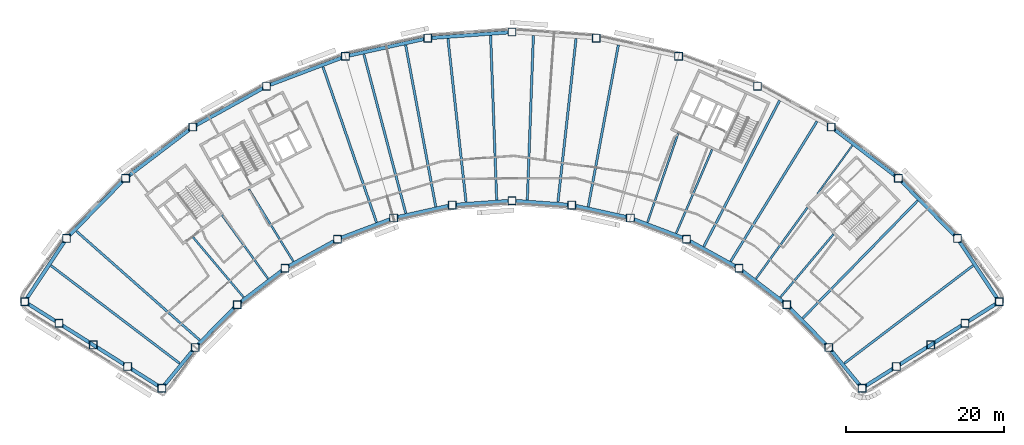
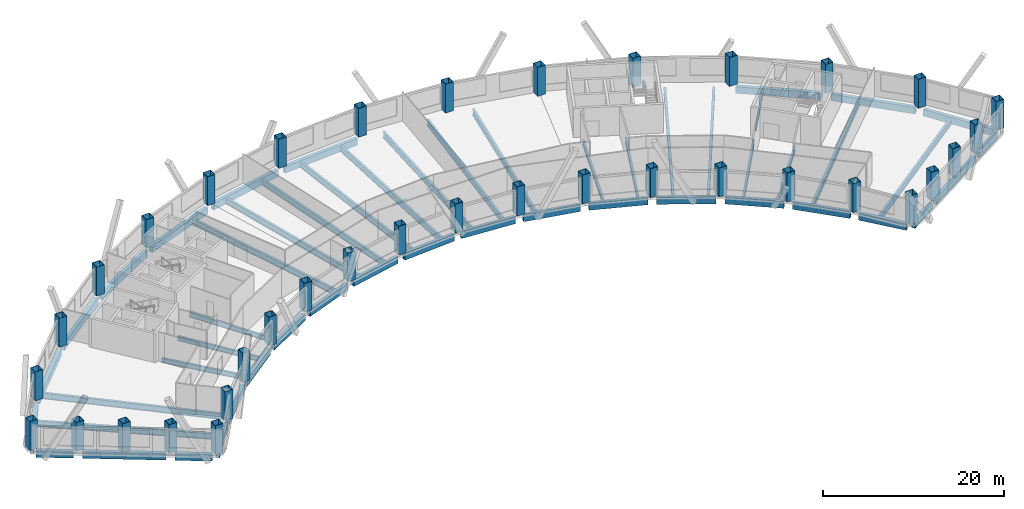
# One storey, part 1 of 11: 52 beams, 36 columns.
"""IFC4 building model written with IfcOpenShell, lengths in metres."""

from ifc_helpers import new_model, si_unit, direction, frame, origin, origin_2d, place, context, subcontext, project, spatial, hollow_rectangle, i_section, extrude, material, material_profile, profile_set, type_object, element, save


model = new_model("IFC4")

# Units and contexts
model_context = context("Model", 3, precision=1e-05, world=origin(), true_north=direction((0.0, 1.0)))
body_context = subcontext(model_context, "Body", "Model", "MODEL_VIEW")
ifc_project = project(units=[si_unit("LENGTHUNIT", "METRE"), si_unit("AREAUNIT", "SQUARE_METRE"), si_unit("VOLUMEUNIT", "CUBIC_METRE"), si_unit("PLANEANGLEUNIT", "RADIAN"), si_unit("MASSUNIT", "GRAM", prefix="KILO")], contexts=[model_context])

# Site, building, storey
site_placement = place(None, origin())
site = spatial("IfcSite", under=ifc_project, at=site_placement, CompositionType="ELEMENT")
building_placement = place(site_placement, origin())
building = spatial("IfcBuilding", under=site, at=building_placement, Name="Tuul Gate Civic Tower", CompositionType="ELEMENT")
storey_placement = place(building_placement, frame((0.0, 0.0, 155.0)))
storey = spatial("IfcBuildingStorey", under=building, at=storey_placement, Name="Level 35", CompositionType="ELEMENT", Elevation=155.0)

# Columns
ifc_material_1 = material(Name="Steel S355", Category="steel")
ifc_material_profile_1 = material_profile(ifc_material_1, hollow_rectangle(XDim=1.0, YDim=1.0, WallThickness=0.0400390625, at=origin_2d()), Name="BOX1000x1000x40")
ifc_profile_set_1 = profile_set([ifc_material_profile_1], Name="Steel S355")
column_type = type_object("IfcColumnType", Name="STR-COLUMN-BOX1000x1000x40", PredefinedType="COLUMN", material=ifc_profile_set_1)
for number, where, z_axis, x_axis, name in (
    (1, (67.044921875, -24.89697265625, 0.0), (0.0, 0.0, 1.0), (1.0, 0.0, 0.0), "Column"),
    (2, (61.74609375, -16.884033203125, 0.0), (0.0, 0.0, 1.0), (1.0, 0.0, 0.0), "Column"),
    (3, (54.27197265625, -9.259033203125, 0.0), (0.0, 0.0, 1.0), (1.0, 0.0, 0.0), "Column"),
    (4, (45.77587890625, -2.791015625, 0.0), (0.0, 0.0, 1.0), (1.0, 0.0, 0.0), "Column"),
    (5, (36.43798828125, 2.385009765625, 0.0), (0.0, 0.0, 1.0), (1.0, 0.0, 0.0), "Column"),
    (6, (26.450927734375, 6.162109375, 0.0), (0.0, 0.0, 1.0), (1.0, 0.0, 0.0), "Column"),
    (7, (16.02294921875, 8.4599609375, 0.0), (0.0, 0.0, 1.0), (1.0, 0.0, 0.0), "Column"),
    (8, (5.3740234375, 9.23193359375, 0.0), (0.0, 0.0, 1.0), (1.0, 0.0, 0.0), "Column"),
    (9, (-5.27490234375, 8.4599609375, 0.0), (0.0, 0.0, 1.0), (1.0, 0.0, 0.0), "Column"),
    (10, (-15.702880859375, 6.162109375, 0.0), (0.0, 0.0, 1.0), (1.0, 0.0, 0.0), "Column"),
    (11, (-25.68994140625, 2.385009765625, 0.0), (0.0, 0.0, 1.0), (1.0, 0.0, 0.0), "Column"),
    (12, (-35.028076171875, -2.791015625, 0.0), (0.0, 0.0, 1.0), (1.0, 0.0, 0.0), "Column"),
    (13, (-43.52392578125, -9.259033203125, 0.0), (0.0, 0.0, 1.0), (1.0, 0.0, 0.0), "Column"),
    (14, (-50.998046875, -16.884033203125, 0.0), (0.0, 0.0, 1.0), (1.0, 0.0, 0.0), "Column"),
    (15, (-56.297119140625, -24.89697265625, 0.0), (0.0, 0.0, 1.0), (1.0, 0.0, 0.0), "Column"),
    (16, (-51.9541015625, -27.631103515625, 0.0), (0.0, 0.0, 1.0), (1.0, 0.0, 0.0), "Column"),
    (17, (-47.612060546875, -30.365966796875, 0.0), (0.0, 0.0, 1.0), (1.0, 0.0, 0.0), "Column"),
    (18, (-43.26904296875, -33.10009765625, 0.0), (0.0, 0.0, 1.0), (1.0, 0.0, 0.0), "Column"),
    (19, (-38.927001953125, -35.8349609375, 0.0), (0.0, 0.0, 1.0), (1.0, 0.0, 0.0), "Column"),
    (20, (-34.70703125, -30.693115234375, 0.0), (0.0, 0.0, 1.0), (1.0, 0.0, 0.0), "Column"),
    (21, (-29.39306640625, -25.27099609375, 0.0), (0.0, 0.0, 1.0), (1.0, 0.0, 0.0), "Column"),
    (22, (-23.35302734375, -20.672119140625, 0.0), (0.0, 0.0, 1.0), (1.0, 0.0, 0.0), "Column"),
    (23, (-16.712890625, -16.991943359375, 0.0), (0.0, 0.0, 1.0), (1.0, 0.0, 0.0), "Column"),
    (24, (-9.612060546875, -14.306884765625, 0.0), (0.0, 0.0, 1.0), (1.0, 0.0, 0.0), "Column"),
    (25, (-2.197998046875, -12.673095703125, 0.0), (0.0, 0.0, 1.0), (1.0, 0.0, 0.0), "Column"),
    (26, (5.3740234375, -12.1240234375, 0.0), (0.0, 0.0, 1.0), (1.0, 0.0, 0.0), "Column"),
    (27, (12.946044921875, -12.673095703125, 0.0), (0.0, 0.0, 1.0), (1.0, 0.0, 0.0), "Column"),
    (28, (20.360107421875, -14.306884765625, 0.0), (0.0, 0.0, 1.0), (1.0, 0.0, 0.0), "Column"),
    (29, (27.4609375, -16.991943359375, 0.0), (0.0, 0.0, 1.0), (1.0, 0.0, 0.0), "Column"),
    (30, (34.10107421875, -20.672119140625, 0.0), (0.0, 0.0, 1.0), (1.0, 0.0, 0.0), "Column"),
    (31, (40.14111328125, -25.27099609375, 0.0), (0.0, 0.0, 1.0), (1.0, 0.0, 0.0), "Column"),
    (32, (45.455078125, -30.693115234375, 0.0), (0.0, 0.0, 1.0), (1.0, 0.0, 0.0), "Column"),
    (33, (49.675048828125, -35.8349609375, 0.0), (0.0, 0.0, 1.0), (1.0, 0.0, 0.0), "Column"),
    (34, (54.01708984375, -33.10009765625, 0.0), (0.0, 0.0, 1.0), (1.0, 0.0, 0.0), "Column"),
    (35, (58.360107421875, -30.365966796875, 0.0), (0.0, 0.0, 1.0), (1.0, 0.0, 0.0), "Column"),
    (36, (62.701904296875, -27.631103515625, 0.0), (0.0, 0.0, 1.0), (1.0, 0.0, 0.0), "Column"),
):
    element("IfcColumn", number, at=place(storey_placement, frame(where, z_axis=z_axis, x_axis=x_axis)), inside=storey, type_object=column_type, Name=name, PredefinedType="COLUMN", context=body_context, shape_type="SweptSolid", body=[
        extrude(hollow_rectangle(XDim=1.0, YDim=1.0, WallThickness=0.0400390625, at=origin_2d()), origin(), (0.0, 0.0, 1.0), 3.89990234375),
    ])

# Beams
ifc_material_2 = material(Name="Steel S355", Category="steel")
ifc_material_profile_2 = material_profile(ifc_material_2, i_section(OverallWidth=0.199951171875, OverallDepth=0.5, WebThickness=0.010009765625, FlangeThickness=0.01611328125, at=origin_2d()), Name="PG500x200x10x16")
ifc_profile_set_2 = profile_set([ifc_material_profile_2], Name="Steel S355")
beam_type_1 = type_object("IfcBeamType", Name="STR-FLOOR BEAM-PG500x200x10x16", PredefinedType="BEAM", material=ifc_profile_set_2)
beam_1_placement = place(storey_placement, frame((43.999267578125, -11.26806640625, -0.550048828125), z_axis=(0.586082415156, 0.810251444087, 0.0), x_axis=(-0.810251444087, 0.586082415156, 0.0)))
element("IfcBeam", 37, at=beam_1_placement, inside=storey, type_object=beam_type_1, Name="Floor beam", PredefinedType="BEAM", context=body_context, shape_type="SweptSolid", body=[
    extrude(i_section(OverallWidth=0.199951171875, OverallDepth=0.5, WebThickness=0.010009765625, FlangeThickness=0.01611328125, at=origin_2d()), origin(), (0.0, 0.0, 1.0), 7.573486328125),
])
ifc_material_3 = material(Name="Steel S355", Category="steel")
ifc_material_profile_3 = material_profile(ifc_material_3, i_section(OverallWidth=0.25, OverallDepth=0.64990234375, WebThickness=0.011962890625, FlangeThickness=0.02001953125, at=origin_2d()), Name="PG650x250x12x20")
ifc_profile_set_3 = profile_set([ifc_material_profile_3], Name="Steel S355")
beam_type_2 = type_object("IfcBeamType", Name="STR-FLOOR BEAM-PG650x250x12x20", PredefinedType="BEAM", material=ifc_profile_set_3)
beam_2_placement = place(storey_placement, frame((39.332275390625, -24.341064453125, -0.625), z_axis=(0.644139340378, 0.764908171075, 0.0), x_axis=(-0.764908171075, 0.644139340378, 0.0)))
element("IfcBeam", 38, at=beam_2_placement, inside=storey, type_object=beam_type_2, Name="Floor beam", PredefinedType="BEAM", context=body_context, shape_type="SweptSolid", body=[
    extrude(i_section(OverallWidth=0.25, OverallDepth=0.64990234375, WebThickness=0.011962890625, FlangeThickness=0.02001953125, at=origin_2d()), origin(), (0.0, 0.0, 1.0), 10.45751953125),
])
beam_3_placement = place(storey_placement, frame((36.244140625, -21.989501953125, -0.625), z_axis=(0.586079949971, 0.810253227234, 0.0), x_axis=(-0.810253227234, 0.586079949971, 0.0)))
element("IfcBeam", 39, at=beam_3_placement, inside=storey, type_object=beam_type_2, Name="Floor beam", PredefinedType="BEAM", context=body_context, shape_type="SweptSolid", body=[
    extrude(i_section(OverallWidth=0.25, OverallDepth=0.64990234375, WebThickness=0.011962890625, FlangeThickness=0.02001953125, at=origin_2d()), origin(), (0.0, 0.0, 1.0), 11.128173828125),
])
beam_4_placement = place(storey_placement, frame((26.150634765625, -16.229248046875, -0.625), z_axis=(0.394192627131, 0.919027841099, 0.0), x_axis=(-0.919027841099, 0.394192627131, 0.0)))
element("IfcBeam", 40, at=beam_4_placement, inside=storey, type_object=beam_type_2, Name="Floor beam", PredefinedType="BEAM", context=body_context, shape_type="SweptSolid", body=[
    extrude(i_section(OverallWidth=0.25, OverallDepth=0.64990234375, WebThickness=0.011962890625, FlangeThickness=0.02001953125, at=origin_2d()), origin(), (0.0, 0.0, 1.0), 11.533935546875),
])
beam_5_placement = place(storey_placement, frame((22.520263671875, -14.8564453125, -0.625), z_axis=(0.32548222654, 0.945548158587, 0.0), x_axis=(-0.945548158587, 0.32548222654, 0.0)))
element("IfcBeam", 41, at=beam_5_placement, inside=storey, type_object=beam_type_2, Name="Floor beam", PredefinedType="BEAM", context=body_context, shape_type="SweptSolid", body=[
    extrude(i_section(OverallWidth=0.25, OverallDepth=0.64990234375, WebThickness=0.011962890625, FlangeThickness=0.02001953125, at=origin_2d()), origin(), (0.0, 0.0, 1.0), 11.883544921875),
])
beam_6_placement = place(storey_placement, frame((-22.29248046875, -19.79833984375, -0.625), z_axis=(-0.524846383073, 0.851196965558, 0.0), x_axis=(-0.851196965558, -0.524846383073, 0.0)))
element("IfcBeam", 42, at=beam_6_placement, inside=storey, type_object=beam_type_2, Name="Floor beam", PredefinedType="BEAM", context=body_context, shape_type="SweptSolid", body=[
    extrude(i_section(OverallWidth=0.25, OverallDepth=0.64990234375, WebThickness=0.011962890625, FlangeThickness=0.02001953125, at=origin_2d()), origin(), (0.0, 0.0, 1.0), 10.7275390625),
])
beam_7_placement = place(storey_placement, frame((-25.49609375, -21.989501953125, -0.625), z_axis=(-0.586076139419, 0.810255983504, 0.0), x_axis=(-0.810255983504, -0.586076139419, 0.0)))
element("IfcBeam", 43, at=beam_7_placement, inside=storey, type_object=beam_type_2, Name="Floor beam", PredefinedType="BEAM", context=body_context, shape_type="SweptSolid", body=[
    extrude(i_section(OverallWidth=0.25, OverallDepth=0.64990234375, WebThickness=0.011962890625, FlangeThickness=0.02001953125, at=origin_2d()), origin(), (0.0, 0.0, 1.0), 9.922119140625),
])
beam_8_placement = place(storey_placement, frame((-28.584228515625, -24.341064453125, -0.625), z_axis=(-0.644136502782, 0.764910560644, 0.0), x_axis=(-0.764910560644, -0.644136502782, 0.0)))
element("IfcBeam", 44, at=beam_8_placement, inside=storey, type_object=beam_type_2, Name="Floor beam", PredefinedType="BEAM", context=body_context, shape_type="SweptSolid", body=[
    extrude(i_section(OverallWidth=0.25, OverallDepth=0.64990234375, WebThickness=0.011962890625, FlangeThickness=0.02001953125, at=origin_2d()), origin(), (0.0, 0.0, 1.0), 9.931396484375),
])
ifc_material_4 = material(Name="Steel S355", Category="steel")
ifc_material_profile_4 = material_profile(ifc_material_4, i_section(OverallWidth=0.300048828125, OverallDepth=0.800048828125, WebThickness=0.013916015625, FlangeThickness=0.02490234375, at=origin_2d()), Name="PG800x300x14x25")
ifc_profile_set_4 = profile_set([ifc_material_profile_4], Name="Steel S355")
beam_type_3 = type_object("IfcBeamType", Name="STR-FLOOR BEAM-PG800x300x14x25", PredefinedType="BEAM", material=ifc_profile_set_4)
beam_9_placement = place(storey_placement, frame((47.4287109375, -32.703857421875, -0.699951171875), z_axis=(0.796150928405, 0.60509809056, 0.0), x_axis=(-0.60509809056, 0.796150928405, 0.0)))
element("IfcBeam", 45, at=beam_9_placement, inside=storey, type_object=beam_type_3, Name="Floor beam", PredefinedType="BEAM", context=body_context, shape_type="SweptSolid", body=[
    extrude(i_section(OverallWidth=0.300048828125, OverallDepth=0.800048828125, WebThickness=0.013916015625, FlangeThickness=0.02490234375, at=origin_2d()), origin(), (0.0, 0.0, 1.0), 20.462646484375),
])
beam_10_placement = place(storey_placement, frame((42.172607421875, -26.986572265625, -0.699951171875), z_axis=(0.698684495675, 0.715429923544, 0.0), x_axis=(-0.715429923544, 0.698684495675, 0.0)))
element("IfcBeam", 46, at=beam_10_placement, inside=storey, type_object=beam_type_3, Name="Floor beam", PredefinedType="BEAM", context=body_context, shape_type="SweptSolid", body=[
    extrude(i_section(OverallWidth=0.300048828125, OverallDepth=0.800048828125, WebThickness=0.013916015625, FlangeThickness=0.02490234375, at=origin_2d()), origin(), (0.0, 0.0, 1.0), 20.804931640625),
])
beam_11_placement = place(storey_placement, frame((33.040283203125, -19.79833984375, -0.699951171875), z_axis=(0.524860669537, 0.851188156387, 0.0), x_axis=(-0.851188156387, 0.524860669537, 0.0)))
element("IfcBeam", 47, at=beam_11_placement, inside=storey, type_object=beam_type_3, Name="Floor beam", PredefinedType="BEAM", context=body_context, shape_type="SweptSolid", body=[
    extrude(i_section(OverallWidth=0.300048828125, OverallDepth=0.800048828125, WebThickness=0.013916015625, FlangeThickness=0.02490234375, at=origin_2d()), origin(), (0.0, 0.0, 1.0), 20.821533203125),
])
beam_12_placement = place(storey_placement, frame((29.6455078125, -17.916748046875, -0.699951171875), z_axis=(0.460777413818, 0.887515732207, 0.0), x_axis=(-0.887515732207, 0.460777413818, 0.0)))
element("IfcBeam", 48, at=beam_12_placement, inside=storey, type_object=beam_type_3, Name="Floor beam", PredefinedType="BEAM", context=body_context, shape_type="SweptSolid", body=[
    extrude(i_section(OverallWidth=0.300048828125, OverallDepth=0.800048828125, WebThickness=0.013916015625, FlangeThickness=0.02490234375, at=origin_2d()), origin(), (0.0, 0.0, 1.0), 20.80712890625),
])
beam_13_placement = place(storey_placement, frame((15.0224609375, -12.874755859375, -0.699951171875), z_axis=(0.183147342328, 0.98308547492, 0.0), x_axis=(-0.98308547492, 0.183147342328, 0.0)))
element("IfcBeam", 49, at=beam_13_placement, inside=storey, type_object=beam_type_3, Name="Floor beam", PredefinedType="BEAM", context=body_context, shape_type="SweptSolid", body=[
    extrude(i_section(OverallWidth=0.300048828125, OverallDepth=0.800048828125, WebThickness=0.013916015625, FlangeThickness=0.02490234375, at=origin_2d()), origin(), (0.0, 0.0, 1.0), 20.811279296875),
])
beam_14_placement = place(storey_placement, frame((11.185302734375, -12.294677734375, -0.699951171875), z_axis=(0.110287344613, 0.993899744249, 0.0), x_axis=(-0.993899744249, 0.110287344613, 0.0)))
element("IfcBeam", 50, at=beam_14_placement, inside=storey, type_object=beam_type_3, Name="Floor beam", PredefinedType="BEAM", context=body_context, shape_type="SweptSolid", body=[
    extrude(i_section(OverallWidth=0.300048828125, OverallDepth=0.800048828125, WebThickness=0.013916015625, FlangeThickness=0.02490234375, at=origin_2d()), origin(), (0.0, 0.0, 1.0), 20.815185546875),
])
for number, where, z_axis, x_axis, name in (
    (51, (7.314453125, -12.013916015625, -0.699951171875), (0.036820764609, 0.999321885727, 0.0), (-0.999321885727, 0.036820764609, 0.0), "Floor beam"),
    (52, (3.43359375, -12.013916015625, -0.699951171875), (-0.036832478792, 0.999321454041, 0.0), (-0.999321454041, -0.036832478792, 0.0), "Floor beam"),
):
    element("IfcBeam", number, at=place(storey_placement, frame(where, z_axis=z_axis, x_axis=x_axis)), inside=storey, type_object=beam_type_3, Name=name, PredefinedType="BEAM", context=body_context, shape_type="SweptSolid", body=[
        extrude(i_section(OverallWidth=0.300048828125, OverallDepth=0.800048828125, WebThickness=0.013916015625, FlangeThickness=0.02490234375, at=origin_2d()), origin(), (0.0, 0.0, 1.0), 20.813232421875),
    ])
beam_15_placement = place(storey_placement, frame((-0.437255859375, -12.294677734375, -0.699951171875), z_axis=(-0.110287344613, 0.993899744249, 0.0), x_axis=(-0.993899744249, -0.110287344613, 0.0)))
element("IfcBeam", 53, at=beam_15_placement, inside=storey, type_object=beam_type_3, Name="Floor beam", PredefinedType="BEAM", context=body_context, shape_type="SweptSolid", body=[
    extrude(i_section(OverallWidth=0.300048828125, OverallDepth=0.800048828125, WebThickness=0.013916015625, FlangeThickness=0.02490234375, at=origin_2d()), origin(), (0.0, 0.0, 1.0), 20.815185546875),
])
beam_16_placement = place(storey_placement, frame((-4.2744140625, -12.874755859375, -0.699951171875), z_axis=(-0.183147342328, 0.98308547492, 0.0), x_axis=(-0.98308547492, -0.183147342328, 0.0)))
element("IfcBeam", 54, at=beam_16_placement, inside=storey, type_object=beam_type_3, Name="Floor beam", PredefinedType="BEAM", context=body_context, shape_type="SweptSolid", body=[
    extrude(i_section(OverallWidth=0.300048828125, OverallDepth=0.800048828125, WebThickness=0.013916015625, FlangeThickness=0.02490234375, at=origin_2d()), origin(), (0.0, 0.0, 1.0), 20.811279296875),
])
beam_17_placement = place(storey_placement, frame((-8.064697265625, -13.7099609375, -0.699951171875), z_axis=(-0.255004720301, 0.96693980817, 0.0), x_axis=(-0.96693980817, -0.255004720301, 0.0)))
element("IfcBeam", 55, at=beam_17_placement, inside=storey, type_object=beam_type_3, Name="Floor beam", PredefinedType="BEAM", context=body_context, shape_type="SweptSolid", body=[
    extrude(i_section(OverallWidth=0.300048828125, OverallDepth=0.800048828125, WebThickness=0.013916015625, FlangeThickness=0.02490234375, at=origin_2d()), origin(), (0.0, 0.0, 1.0), 20.817626953125),
])
beam_18_placement = place(storey_placement, frame((-11.772216796875, -14.8564453125, -0.699951171875), z_axis=(-0.325486974479, 0.945546524209, 0.0), x_axis=(-0.945546524209, -0.325486974479, 0.0)))
element("IfcBeam", 56, at=beam_18_placement, inside=storey, type_object=beam_type_3, Name="Floor beam", PredefinedType="BEAM", context=body_context, shape_type="SweptSolid", body=[
    extrude(i_section(OverallWidth=0.300048828125, OverallDepth=0.800048828125, WebThickness=0.013916015625, FlangeThickness=0.02490234375, at=origin_2d()), origin(), (0.0, 0.0, 1.0), 20.809326171875),
])
beam_19_placement = place(storey_placement, frame((-34.1416015625, -29.759033203125, -0.699951171875), z_axis=(-0.749453243269, 0.662057275584, 0.0), x_axis=(-0.662057275584, -0.749453243269, 0.0)))
element("IfcBeam", 57, at=beam_19_placement, inside=storey, type_object=beam_type_3, Name="Floor beam", PredefinedType="BEAM", context=body_context, shape_type="SweptSolid", body=[
    extrude(i_section(OverallWidth=0.300048828125, OverallDepth=0.800048828125, WebThickness=0.013916015625, FlangeThickness=0.02490234375, at=origin_2d()), origin(), (0.0, 0.0, 1.0), 20.828369140625),
])
beam_20_placement = place(storey_placement, frame((-36.6806640625, -32.703857421875, -0.699951171875), z_axis=(-0.796150928405, 0.60509809056, 0.0), x_axis=(-0.60509809056, -0.796150928405, 0.0)))
element("IfcBeam", 58, at=beam_20_placement, inside=storey, type_object=beam_type_3, Name="Floor beam", PredefinedType="BEAM", context=body_context, shape_type="SweptSolid", body=[
    extrude(i_section(OverallWidth=0.300048828125, OverallDepth=0.800048828125, WebThickness=0.013916015625, FlangeThickness=0.02490234375, at=origin_2d()), origin(), (0.0, 0.0, 1.0), 20.462646484375),
])
ifc_material_5 = material(Name="Steel S355", Category="steel")
ifc_material_profile_5 = material_profile(ifc_material_5, hollow_rectangle(XDim=0.449951171875, YDim=0.89990234375, WallThickness=0.02490234375, at=origin_2d()), Name="BOX900x450x25")
ifc_profile_set_5 = profile_set([ifc_material_profile_5], Name="Steel S355")
beam_type_4 = type_object("IfcBeamType", Name="STR-SPANDREL BEAM-BOX900x450x25", PredefinedType="BEAM", material=ifc_profile_set_5)
beam_21_placement = place(storey_placement, frame((66.769287109375, -24.47998046875, -0.75), z_axis=(-0.551606651845, 0.834104370951, 0.0), x_axis=(-0.834104370951, -0.551606651845, 0.0)))
element("IfcBeam", 59, at=beam_21_placement, inside=storey, type_object=beam_type_4, Name="Spandrel beam", PredefinedType="BEAM", context=body_context, shape_type="SweptSolid", body=[
    extrude(hollow_rectangle(XDim=0.449951171875, YDim=0.89990234375, WallThickness=0.02490234375, at=origin_2d()), origin(), (0.0, 0.0, 1.0), 8.606689453125),
])
beam_22_placement = place(storey_placement, frame((61.39599609375, -16.52685546875, -0.75), z_axis=(-0.699994726763, 0.714148011622, 0.0), x_axis=(-0.714148011622, -0.699994726763, 0.0)))
element("IfcBeam", 60, at=beam_22_placement, inside=storey, type_object=beam_type_4, Name="Spandrel beam", PredefinedType="BEAM", context=body_context, shape_type="SweptSolid", body=[
    extrude(hollow_rectangle(XDim=0.449951171875, YDim=0.89990234375, WallThickness=0.02490234375, at=origin_2d()), origin(), (0.0, 0.0, 1.0), 9.677001953125),
])
beam_23_placement = place(storey_placement, frame((53.874267578125, -8.9560546875, -0.75), z_axis=(-0.795665611116, 0.605736110273, 0.0), x_axis=(-0.605736110273, -0.795665611116, 0.0)))
element("IfcBeam", 61, at=beam_23_placement, inside=storey, type_object=beam_type_4, Name="Spandrel beam", PredefinedType="BEAM", context=body_context, shape_type="SweptSolid", body=[
    extrude(hollow_rectangle(XDim=0.449951171875, YDim=0.89990234375, WallThickness=0.02490234375, at=origin_2d()), origin(), (0.0, 0.0, 1.0), 9.677978515625),
])
beam_24_placement = place(storey_placement, frame((4.875244140625, 9.19580078125, -0.75), z_axis=(-0.997382449667, -0.072306632453, 0.0), x_axis=(0.072306632453, -0.997382449667, 0.0)))
element("IfcBeam", 62, at=beam_24_placement, inside=storey, type_object=beam_type_4, Name="Spandrel beam", PredefinedType="BEAM", context=body_context, shape_type="SweptSolid", body=[
    extrude(hollow_rectangle(XDim=0.449951171875, YDim=0.89990234375, WallThickness=0.02490234375, at=origin_2d()), origin(), (0.0, 0.0, 1.0), 9.677001953125),
])
beam_25_placement = place(storey_placement, frame((-5.76318359375, 8.352294921875, -0.75), z_axis=(-0.976569557508, -0.215201996619, 0.0), x_axis=(0.215201996619, -0.976569557508, 0.0)))
element("IfcBeam", 63, at=beam_25_placement, inside=storey, type_object=beam_type_4, Name="Spandrel beam", PredefinedType="BEAM", context=body_context, shape_type="SweptSolid", body=[
    extrude(hollow_rectangle(XDim=0.449951171875, YDim=0.89990234375, WallThickness=0.02490234375, at=origin_2d()), origin(), (0.0, 0.0, 1.0), 9.67822265625),
])
beam_26_placement = place(storey_placement, frame((-16.170654296875, 5.985107421875, -0.75), z_axis=(-0.935342665374, -0.353742983436, 0.0), x_axis=(0.353742983436, -0.935342665374, 0.0)))
element("IfcBeam", 64, at=beam_26_placement, inside=storey, type_object=beam_type_4, Name="Spandrel beam", PredefinedType="BEAM", context=body_context, shape_type="SweptSolid", body=[
    extrude(hollow_rectangle(XDim=0.449951171875, YDim=0.89990234375, WallThickness=0.02490234375, at=origin_2d()), origin(), (0.0, 0.0, 1.0), 9.677490234375),
])
beam_27_placement = place(storey_placement, frame((-26.127197265625, 2.142578125, -0.75), z_axis=(-0.874626955885, -0.484796542933, 0.0), x_axis=(0.484796542933, -0.874626955885, 0.0)))
element("IfcBeam", 65, at=beam_27_placement, inside=storey, type_object=beam_type_4, Name="Spandrel beam", PredefinedType="BEAM", context=body_context, shape_type="SweptSolid", body=[
    extrude(hollow_rectangle(XDim=0.449951171875, YDim=0.89990234375, WallThickness=0.02490234375, at=origin_2d()), origin(), (0.0, 0.0, 1.0), 9.676513671875),
])
beam_28_placement = place(storey_placement, frame((-35.42578125, -3.09375, -0.75), z_axis=(-0.795665611116, -0.605736110273, 0.0), x_axis=(0.605736110273, -0.795665611116, 0.0)))
element("IfcBeam", 66, at=beam_28_placement, inside=storey, type_object=beam_type_4, Name="Spandrel beam", PredefinedType="BEAM", context=body_context, shape_type="SweptSolid", body=[
    extrude(hollow_rectangle(XDim=0.449951171875, YDim=0.89990234375, WallThickness=0.02490234375, at=origin_2d()), origin(), (0.0, 0.0, 1.0), 9.677978515625),
])
beam_29_placement = place(storey_placement, frame((-43.8740234375, -9.615966796875, -0.75), z_axis=(-0.699994726763, -0.714148011622, 0.0), x_axis=(0.714148011622, -0.699994726763, 0.0)))
element("IfcBeam", 67, at=beam_29_placement, inside=storey, type_object=beam_type_4, Name="Spandrel beam", PredefinedType="BEAM", context=body_context, shape_type="SweptSolid", body=[
    extrude(hollow_rectangle(XDim=0.449951171875, YDim=0.89990234375, WallThickness=0.02490234375, at=origin_2d()), origin(), (0.0, 0.0, 1.0), 9.677001953125),
])
beam_30_placement = place(storey_placement, frame((-51.273681640625, -17.301025390625, -0.75), z_axis=(-0.551606651845, -0.834104370951, 0.0), x_axis=(0.834104370951, -0.551606651845, 0.0)))
element("IfcBeam", 68, at=beam_30_placement, inside=storey, type_object=beam_type_4, Name="Spandrel beam", PredefinedType="BEAM", context=body_context, shape_type="SweptSolid", body=[
    extrude(hollow_rectangle(XDim=0.449951171875, YDim=0.89990234375, WallThickness=0.02490234375, at=origin_2d()), origin(), (0.0, 0.0, 1.0), 8.606689453125),
])
beam_31_placement = place(storey_placement, frame((-55.873779296875, -25.163330078125, -0.75), z_axis=(0.846247640598, -0.532789762273, 0.0), x_axis=(0.532789762273, 0.846247640598, 0.0)))
element("IfcBeam", 69, at=beam_31_placement, inside=storey, type_object=beam_type_4, Name="Spandrel beam", PredefinedType="BEAM", context=body_context, shape_type="SweptSolid", body=[
    extrude(hollow_rectangle(XDim=0.449951171875, YDim=0.89990234375, WallThickness=0.02490234375, at=origin_2d()), origin(), (0.0, 0.0, 1.0), 4.1318359375),
])
beam_32_placement = place(storey_placement, frame((-51.531005859375, -27.8974609375, -0.75), z_axis=(0.846210833603, -0.532848219565, 0.0), x_axis=(0.532848219565, 0.846210833603, 0.0)))
element("IfcBeam", 70, at=beam_32_placement, inside=storey, type_object=beam_type_4, Name="Spandrel beam", PredefinedType="BEAM", context=body_context, shape_type="SweptSolid", body=[
    extrude(hollow_rectangle(XDim=0.449951171875, YDim=0.89990234375, WallThickness=0.02490234375, at=origin_2d()), origin(), (0.0, 0.0, 1.0), 9.263427734375),
])
beam_33_placement = place(storey_placement, frame((-42.845947265625, -33.366455078125, -0.75), z_axis=(0.846117367302, -0.532996623582, 0.0), x_axis=(0.532996623582, 0.846117367302, 0.0)))
element("IfcBeam", 71, at=beam_33_placement, inside=storey, type_object=beam_type_4, Name="Spandrel beam", PredefinedType="BEAM", context=body_context, shape_type="SweptSolid", body=[
    extrude(hollow_rectangle(XDim=0.449951171875, YDim=0.89990234375, WallThickness=0.02490234375, at=origin_2d()), origin(), (0.0, 0.0, 1.0), 4.131591796875),
])
beam_34_placement = place(storey_placement, frame((-38.60986328125, -35.448486328125, -0.75), z_axis=(0.634417883175, 0.772990264821, 0.0), x_axis=(-0.772990264821, 0.634417883175, 0.0)))
element("IfcBeam", 72, at=beam_34_placement, inside=storey, type_object=beam_type_4, Name="Spandrel beam", PredefinedType="BEAM", context=body_context, shape_type="SweptSolid", body=[
    extrude(hollow_rectangle(XDim=0.449951171875, YDim=0.89990234375, WallThickness=0.02490234375, at=origin_2d()), origin(), (0.0, 0.0, 1.0), 5.65185546875),
])
beam_35_placement = place(storey_placement, frame((-34.35693359375, -30.3359375, -0.75), z_axis=(0.699959943252, 0.714182104118, 0.0), x_axis=(-0.714182104118, 0.699959943252, 0.0)))
element("IfcBeam", 73, at=beam_35_placement, inside=storey, type_object=beam_type_4, Name="Spandrel beam", PredefinedType="BEAM", context=body_context, shape_type="SweptSolid", body=[
    extrude(hollow_rectangle(XDim=0.449951171875, YDim=0.89990234375, WallThickness=0.02490234375, at=origin_2d()), origin(), (0.0, 0.0, 1.0), 6.591796875),
])
for number, where, z_axis, x_axis, name in (
    (74, (-28.9951171875, -24.968017578125, -0.75), (0.795618733299, 0.605797681758, 0.0), (-0.605797681758, 0.795618733299, 0.0), "Spandrel beam"),
    (75, (-22.915771484375, -20.4296875, -0.75), (0.874651244821, 0.484752720399, 0.0), (-0.484752720399, 0.874651244821, 0.0), "Spandrel beam"),
):
    element("IfcBeam", number, at=place(storey_placement, frame(where, z_axis=z_axis, x_axis=x_axis)), inside=storey, type_object=beam_type_4, Name=name, PredefinedType="BEAM", context=body_context, shape_type="SweptSolid", body=[
        extrude(hollow_rectangle(XDim=0.449951171875, YDim=0.89990234375, WallThickness=0.02490234375, at=origin_2d()), origin(), (0.0, 0.0, 1.0), 6.591552734375),
    ])
beam_36_placement = place(storey_placement, frame((-16.245361328125, -16.815185546875, -0.75), z_axis=(0.935371380161, 0.353667048472, 0.0), x_axis=(-0.353667048472, 0.935371380161, 0.0)))
element("IfcBeam", 76, at=beam_36_placement, inside=storey, type_object=beam_type_4, Name="Spandrel beam", PredefinedType="BEAM", context=body_context, shape_type="SweptSolid", body=[
    extrude(hollow_rectangle(XDim=0.449951171875, YDim=0.89990234375, WallThickness=0.02490234375, at=origin_2d()), origin(), (0.0, 0.0, 1.0), 6.591796875),
])
beam_37_placement = place(storey_placement, frame((-9.123779296875, -14.199462890625, -0.75), z_axis=(0.97655858912, 0.215251764258, 0.0), x_axis=(-0.215251764258, 0.97655858912, 0.0)))
element("IfcBeam", 77, at=beam_37_placement, inside=storey, type_object=beam_type_4, Name="Spandrel beam", PredefinedType="BEAM", context=body_context, shape_type="SweptSolid", body=[
    extrude(hollow_rectangle(XDim=0.449951171875, YDim=0.89990234375, WallThickness=0.02490234375, at=origin_2d()), origin(), (0.0, 0.0, 1.0), 6.592041015625),
])
for number, where, z_axis, x_axis, name in (
    (78, (-1.69921875, -12.636962890625, -0.75), (0.997380460519, 0.072334065112, 0.0), (-0.072334065112, 0.997380460519, 0.0), "Spandrel beam"),
    (79, (5.872802734375, -12.16015625, -0.75), (0.997380460519, -0.072334065112, 0.0), (0.072334065112, 0.997380460519, 0.0), "Spandrel beam"),
):
    element("IfcBeam", number, at=place(storey_placement, frame(where, z_axis=z_axis, x_axis=x_axis)), inside=storey, type_object=beam_type_4, Name=name, PredefinedType="BEAM", context=body_context, shape_type="SweptSolid", body=[
        extrude(hollow_rectangle(XDim=0.449951171875, YDim=0.89990234375, WallThickness=0.02490234375, at=origin_2d()), origin(), (0.0, 0.0, 1.0), 6.591796875),
    ])
beam_38_placement = place(storey_placement, frame((13.434326171875, -12.780517578125, -0.75), z_axis=(0.97655858912, -0.215251764258, 0.0), x_axis=(0.215251764258, 0.97655858912, 0.0)))
element("IfcBeam", 80, at=beam_38_placement, inside=storey, type_object=beam_type_4, Name="Spandrel beam", PredefinedType="BEAM", context=body_context, shape_type="SweptSolid", body=[
    extrude(hollow_rectangle(XDim=0.449951171875, YDim=0.89990234375, WallThickness=0.02490234375, at=origin_2d()), origin(), (0.0, 0.0, 1.0), 6.592041015625),
])
beam_39_placement = place(storey_placement, frame((20.82763671875, -14.48388671875, -0.75), z_axis=(0.935371380161, -0.353667048472, 0.0), x_axis=(0.353667048472, 0.935371380161, 0.0)))
element("IfcBeam", 81, at=beam_39_placement, inside=storey, type_object=beam_type_4, Name="Spandrel beam", PredefinedType="BEAM", context=body_context, shape_type="SweptSolid", body=[
    extrude(hollow_rectangle(XDim=0.449951171875, YDim=0.89990234375, WallThickness=0.02490234375, at=origin_2d()), origin(), (0.0, 0.0, 1.0), 6.591796875),
])
beam_40_placement = place(storey_placement, frame((27.8984375, -17.234375, -0.75), z_axis=(0.874642541027, -0.484768424535, 0.0), x_axis=(0.484768424535, 0.874642541027, 0.0)))
element("IfcBeam", 82, at=beam_40_placement, inside=storey, type_object=beam_type_4, Name="Spandrel beam", PredefinedType="BEAM", context=body_context, shape_type="SweptSolid", body=[
    extrude(hollow_rectangle(XDim=0.449951171875, YDim=0.89990234375, WallThickness=0.02490234375, at=origin_2d()), origin(), (0.0, 0.0, 1.0), 6.59130859375),
])
beam_41_placement = place(storey_placement, frame((34.498779296875, -20.974853515625, -0.75), z_axis=(0.795618733299, -0.605797681758, 0.0), x_axis=(0.605797681758, 0.795618733299, 0.0)))
element("IfcBeam", 83, at=beam_41_placement, inside=storey, type_object=beam_type_4, Name="Spandrel beam", PredefinedType="BEAM", context=body_context, shape_type="SweptSolid", body=[
    extrude(hollow_rectangle(XDim=0.449951171875, YDim=0.89990234375, WallThickness=0.02490234375, at=origin_2d()), origin(), (0.0, 0.0, 1.0), 6.591552734375),
])
beam_42_placement = place(storey_placement, frame((40.490966796875, -25.628173828125, -0.75), z_axis=(0.699959943252, -0.714182104118, 0.0), x_axis=(0.714182104118, 0.699959943252, 0.0)))
element("IfcBeam", 84, at=beam_42_placement, inside=storey, type_object=beam_type_4, Name="Spandrel beam", PredefinedType="BEAM", context=body_context, shape_type="SweptSolid", body=[
    extrude(hollow_rectangle(XDim=0.449951171875, YDim=0.89990234375, WallThickness=0.02490234375, at=origin_2d()), origin(), (0.0, 0.0, 1.0), 6.591796875),
])
beam_43_placement = place(storey_placement, frame((45.772216796875, -31.07958984375, -0.75), z_axis=(0.634417883175, -0.772990264821, 0.0), x_axis=(0.772990264821, 0.634417883175, 0.0)))
element("IfcBeam", 85, at=beam_43_placement, inside=storey, type_object=beam_type_4, Name="Spandrel beam", PredefinedType="BEAM", context=body_context, shape_type="SweptSolid", body=[
    extrude(hollow_rectangle(XDim=0.449951171875, YDim=0.89990234375, WallThickness=0.02490234375, at=origin_2d()), origin(), (0.0, 0.0, 1.0), 5.65185546875),
])
beam_44_placement = place(storey_placement, frame((50.09814453125, -35.568603515625, -0.75), z_axis=(0.846117367302, 0.532996623582, 0.0), x_axis=(-0.532996623582, 0.846117367302, 0.0)))
element("IfcBeam", 86, at=beam_44_placement, inside=storey, type_object=beam_type_4, Name="Spandrel beam", PredefinedType="BEAM", context=body_context, shape_type="SweptSolid", body=[
    extrude(hollow_rectangle(XDim=0.449951171875, YDim=0.89990234375, WallThickness=0.02490234375, at=origin_2d()), origin(), (0.0, 0.0, 1.0), 4.131591796875),
])
beam_45_placement = place(storey_placement, frame((54.440185546875, -32.83349609375, -0.75), z_axis=(0.846203350411, 0.532860103361, 0.0), x_axis=(-0.532860103361, 0.846203350411, 0.0)))
element("IfcBeam", 87, at=beam_45_placement, inside=storey, type_object=beam_type_4, Name="Spandrel beam", PredefinedType="BEAM", context=body_context, shape_type="SweptSolid", body=[
    extrude(hollow_rectangle(XDim=0.449951171875, YDim=0.89990234375, WallThickness=0.02490234375, at=origin_2d()), origin(), (0.0, 0.0, 1.0), 9.26318359375),
])
beam_46_placement = place(storey_placement, frame((63.125244140625, -27.36474609375, -0.75), z_axis=(0.846247640598, 0.532789762273, 0.0), x_axis=(-0.532789762273, 0.846247640598, 0.0)))
element("IfcBeam", 88, at=beam_46_placement, inside=storey, type_object=beam_type_4, Name="Spandrel beam", PredefinedType="BEAM", context=body_context, shape_type="SweptSolid", body=[
    extrude(hollow_rectangle(XDim=0.449951171875, YDim=0.89990234375, WallThickness=0.02490234375, at=origin_2d()), origin(), (0.0, 0.0, 1.0), 4.1318359375),
])

save(model, "model.ifc")
